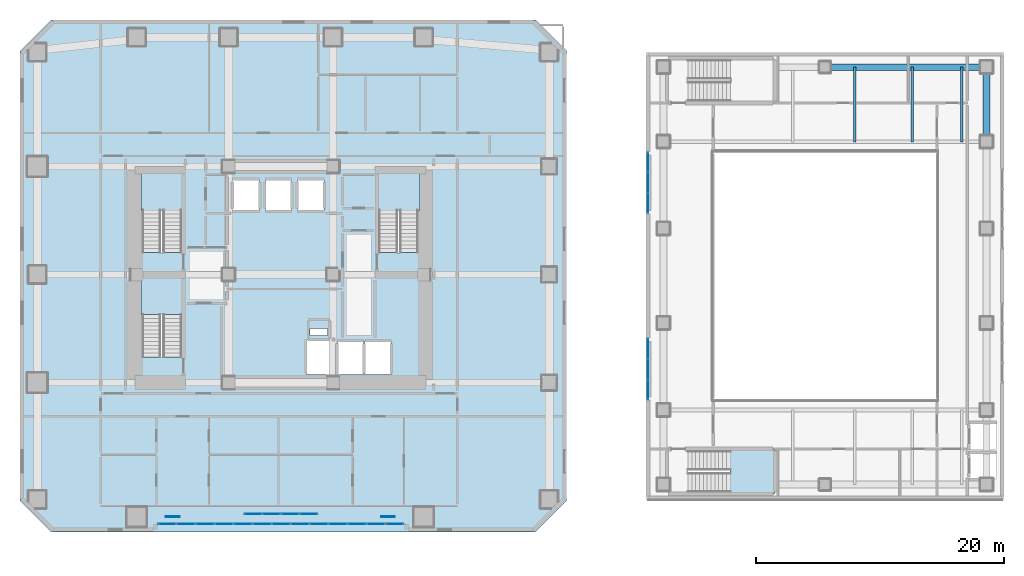
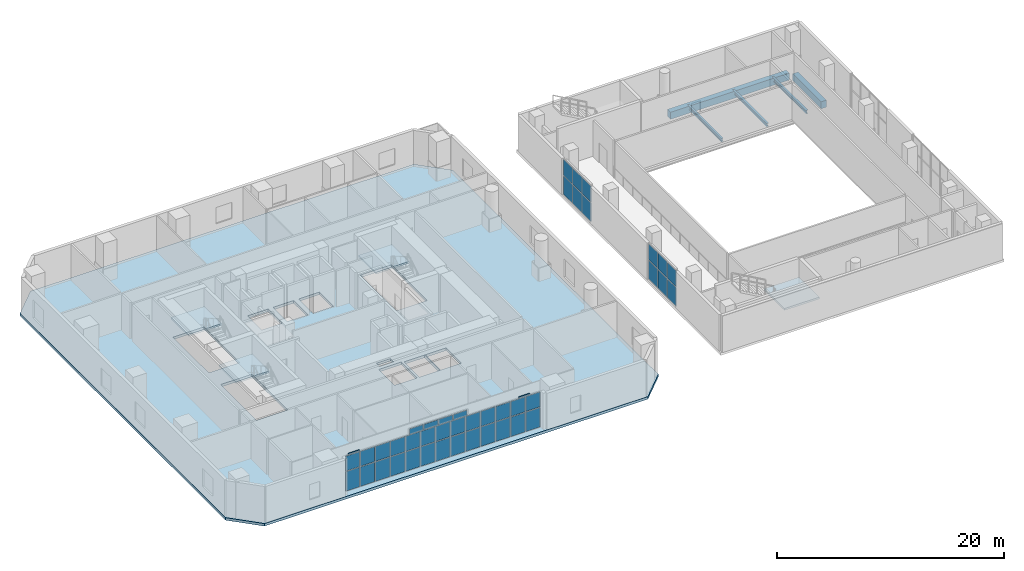
# One storey, part 13 of 24: 48 plates, 5 beams, 5 slabs, 8 elements without a shape of their own.
"""IFC4 building model written with IfcOpenShell, lengths in metres."""

from ifc_helpers import new_model, si_unit, direction, frame, origin, origin_2d, place, context, subcontext, project, spatial, polyline, rectangle, i_section, outline, extrude, material, layer, layer_set, material_profile, profile_set, type_object, element, aggregate, save


model = new_model("IFC4")

# Units and contexts
model_context = context("Model", 3, precision=1e-05, world=origin(), true_north=direction((0.0, 1.0)))
body_context = subcontext(model_context, "Body", "Model", "MODEL_VIEW")
ifc_project = project(units=[si_unit("LENGTHUNIT", "METRE"), si_unit("AREAUNIT", "SQUARE_METRE"), si_unit("VOLUMEUNIT", "CUBIC_METRE"), si_unit("PLANEANGLEUNIT", "RADIAN"), si_unit("MASSUNIT", "GRAM", prefix="KILO")], contexts=[model_context])

# Site, building, storey
site_placement = place(None, origin())
site = spatial("IfcSite", under=ifc_project, at=site_placement, CompositionType="ELEMENT")
building_placement = place(site_placement, origin())
building = spatial("IfcBuilding", under=site, at=building_placement, Name="Solanera Arch Residences", CompositionType="ELEMENT")
storey_placement = place(building_placement, frame((0.0, 0.0, 5.199951171875)))
storey = spatial("IfcBuildingStorey", under=building, at=storey_placement, Name="L01", CompositionType="ELEMENT", Elevation=5.199951171875)

# Beams
ifc_material_1 = material(Name="Concrete C40/50 (f'c = 45 MPa)", Category="concrete")
ifc_material_profile_1 = material_profile(ifc_material_1, rectangle(XDim=0.550048828125, YDim=0.75, at=origin_2d()))
ifc_profile_set_1 = profile_set([ifc_material_profile_1], Name="Concrete C40/50 (f'c = 45 MPa)")
beam_type_1 = type_object("IfcBeamType", Name="Primary Beam RC-BM-550X750", PredefinedType="BEAM", material=ifc_profile_set_1)
beam_1_placement = place(storey_placement, frame((81.800048828125, 41.89990234375, -0.655029296875), z_axis=(0.0, 1.0, 0.0), x_axis=(-1.0, 0.0, 0.0)))
element("IfcBeam", 1, at=beam_1_placement, inside=storey, type_object=beam_type_1, Name="BM-L01-HE-5", PredefinedType="BEAM", context=body_context, shape_type="SweptSolid", body=[
    extrude(rectangle(XDim=0.550048828125, YDim=0.75, at=origin_2d()), origin(), (0.0, 0.0, 1.0), 5.0),
])
beam_2_placement = place(storey_placement, frame((69.25, 47.39990234375, -0.655029296875), z_axis=(1.0, 0.0, 0.0), x_axis=(0.0, 1.0, 0.0)))
element("IfcBeam", 2, at=beam_2_placement, inside=storey, type_object=beam_type_1, Name="BM-L01-HN-2", PredefinedType="BEAM", context=body_context, shape_type="SweptSolid", body=[
    extrude(rectangle(XDim=0.550048828125, YDim=0.75, at=origin_2d()), origin(), (0.0, 0.0, 1.0), 12.050048828125),
])
ifc_material_2 = material(Name="Steel S355 (ASTM A992 / A572 Grade 50)", Category="steel")
ifc_material_profile_2 = material_profile(ifc_material_2, i_section(OverallWidth=0.205078125, OverallDepth=0.35400390625, WebThickness=0.009521484375, FlangeThickness=0.016845703125, at=origin_2d()))
ifc_profile_set_2 = profile_set([ifc_material_profile_2], Name="Steel S355 (ASTM A992 / A572 Grade 50)")
beam_type_2 = type_object("IfcBeamType", Name="Secondary Joist W360X79", PredefinedType="JOIST", material=ifc_profile_set_2)
for number, where, z_axis, x_axis, name in (
    (3, (71.199951171875, 41.39990234375, -0.45703125), (0.0, 1.0, 0.0), (-1.0, 0.0, 0.0), "BM-L01-HJN-71"),
    (4, (75.800048828125, 41.39990234375, -0.45703125), (0.0, 1.0, 0.0), (-1.0, 0.0, 0.0), "BM-L01-HJN-75"),
    (5, (79.800048828125, 41.39990234375, -0.45703125), (0.0, 1.0, 0.0), (-1.0, 0.0, 0.0), "BM-L01-HJN-79"),
):
    element("IfcBeam", number, at=place(storey_placement, frame(where, z_axis=z_axis, x_axis=x_axis)), inside=storey, type_object=beam_type_2, Name=name, PredefinedType="JOIST", context=body_context, shape_type="SweptSolid", body=[
        extrude(i_section(OverallWidth=0.205078125, OverallDepth=0.35400390625, WebThickness=0.009521484375, FlangeThickness=0.016845703125, at=origin_2d()), origin(), (0.0, 0.0, 1.0), 6.0),
    ])

# Plates
ifc_material_3 = material(Name="Steel S355 (ASTM A992 / A572 Grade 50)", Category="steel")
ifc_layer_1 = layer(ifc_material_3, 0.080078125)
ifc_layer_set_1 = layer_set([ifc_layer_1], Name="Steel S355 (ASTM A992 / A572 Grade 50)")
plate_type_1 = type_object("IfcPlateType", Name="Gusset Plate GP-80", PredefinedType="USERDEFINED", material=ifc_layer_set_1)
for number, where, z_axis, x_axis, name in (
    (6, (16.2880859375, 11.199951171875, 1.7001953125), (0.0, 0.0, 1.0), (1.0, 0.0, 0.0), "Monumental Arch Node Gusset 1"),
    (7, (33.613037109375, 11.199951171875, 1.7001953125), (0.0, 0.0, 1.0), (1.0, 0.0, 0.0), "Monumental Arch Node Gusset 7"),
):
    element("IfcPlate", number, at=place(storey_placement, frame(where, z_axis=z_axis, x_axis=x_axis)), inside=storey, type_object=plate_type_1, Name=name, ObjectType="GUSSET", PredefinedType="USERDEFINED", context=body_context, shape_type="SweptSolid", body=[
        extrude(rectangle(XDim=1.10009765625, YDim=0.080078125, at=origin_2d()), origin(), (0.0, 0.0, 1.0), 1.89990234375),
    ])

# Stair, slab
ifc_material_4 = material(Name="Concrete C40/50 (f'c = 45 MPa)", Category="concrete")
stair_type_1 = type_object("IfcStairType", Name="Tower Dogleg Exit Stair 1480", PredefinedType="HALF_TURN_STAIR", material=ifc_material_4)
stair_1_placement = place(storey_placement, origin())
stair_1 = element("IfcStair", 8, at=stair_1_placement, inside=storey, type_object=stair_type_1, Name="L01 Tower Core Exit Stair 1", PredefinedType="HALF_TURN_STAIR")
ifc_material_5 = material(Name="Concrete C40/50 (f'c = 45 MPa)", Category="concrete")
ifc_layer_2 = layer(ifc_material_5, 0.199951171875)
ifc_layer_set_2 = layer_set([ifc_layer_2], Name="Concrete C40/50 (f'c = 45 MPa)")
slab_type_1 = type_object("IfcSlabType", Name="Stair Half-Landing Slab 200", PredefinedType="LANDING", material=ifc_layer_set_2)
slab_1_placement = place(storey_placement, frame((0.0, 0.0, 1.900146484375)))
slab_1 = element("IfcSlab", 9, at=slab_1_placement, type_object=slab_type_1, Name="ST-T1 landing 1", PredefinedType="LANDING", context=body_context, shape_type="SweptSolid", body=[
    extrude(outline(polyline([(17.1201171875, 35.8798828125), (17.1201171875, 38.919921875), (13.719970703125, 38.919921875), (13.719970703125, 35.8798828125), (17.1201171875, 35.8798828125)])), origin(), (0.0, 0.0, 1.0), 0.199951171875),
])
aggregate(stair_1, [slab_1])

stair_2_placement = place(storey_placement, origin())
stair_2 = element("IfcStair", 10, at=stair_2_placement, inside=storey, type_object=stair_type_1, Name="L01 Tower Core Exit Stair 2", PredefinedType="HALF_TURN_STAIR")
slab_2_placement = place(storey_placement, frame((0.0, 0.0, 1.900146484375)))
slab_2 = element("IfcSlab", 11, at=slab_2_placement, type_object=slab_type_1, Name="ST-T2 landing 1", PredefinedType="LANDING", context=body_context, shape_type="SweptSolid", body=[
    extrude(outline(polyline([(36.179931640625, 35.8798828125), (36.179931640625, 38.919921875), (32.780029296875, 38.919921875), (32.780029296875, 35.8798828125), (36.179931640625, 35.8798828125)])), origin(), (0.0, 0.0, 1.0), 0.199951171875),
])
aggregate(stair_2, [slab_2])

stair_3_placement = place(storey_placement, origin())
stair_3 = element("IfcStair", 12, at=stair_3_placement, inside=storey, type_object=stair_type_1, Name="L01 Tower Core Exit Stair 3", PredefinedType="HALF_TURN_STAIR")
slab_3_placement = place(storey_placement, frame((0.0, 0.0, 1.900146484375)))
slab_3 = element("IfcSlab", 13, at=slab_3_placement, type_object=slab_type_1, Name="ST-T3 landing 1", PredefinedType="LANDING", context=body_context, shape_type="SweptSolid", body=[
    extrude(outline(polyline([(17.1201171875, 27.47998046875), (17.1201171875, 30.52001953125), (13.719970703125, 30.52001953125), (13.719970703125, 27.47998046875), (17.1201171875, 27.47998046875)])), origin(), (0.0, 0.0, 1.0), 0.199951171875),
])
aggregate(stair_3, [slab_3])

ifc_material_6 = material(Name="Concrete C40/50 (f'c = 45 MPa)", Category="concrete")
stair_type_2 = type_object("IfcStairType", Name="Arena Dogleg Exit Stair 1560", PredefinedType="HALF_TURN_STAIR", material=ifc_material_6)
stair_4_placement = place(storey_placement, origin())
stair_4 = element("IfcStair", 14, at=stair_4_placement, inside=storey, type_object=stair_type_2, Name="L01 Sports Hall South Exit Stair", PredefinedType="HALF_TURN_STAIR")
slab_4_placement = place(storey_placement, frame((0.0, 0.0, 1.900146484375)))
slab_4 = element("IfcSlab", 15, at=slab_4_placement, type_object=slab_type_1, Name="ST-H1 landing 1", PredefinedType="LANDING", context=body_context, shape_type="SweptSolid", body=[
    extrude(outline(polyline([(61.159912109375, 13.080078125), (64.719970703125, 13.080078125), (64.719970703125, 16.639892578125), (61.159912109375, 16.639892578125), (61.159912109375, 13.080078125)])), origin(), (0.0, 0.0, 1.0), 0.199951171875),
])
aggregate(stair_4, [slab_4])

# Slab
ifc_material_7 = material(Name="Concrete C40/50 (f'c = 45 MPa)", Category="concrete")
ifc_layer_3 = layer(ifc_material_7, 0.280029296875)
ifc_layer_set_3 = layer_set([ifc_layer_3], Name="Concrete C40/50 (f'c = 45 MPa)")
slab_type_2 = type_object("IfcSlabType", Name="Suspended Floor Slab Post-Tensioned 280", PredefinedType="FLOOR", material=ifc_layer_set_3)
slab_5_placement = place(storey_placement, frame((0.0, 0.0, -0.280029296875)))
element("IfcSlab", 16, at=slab_5_placement, inside=storey, type_object=slab_type_2, Name="L01 Tower Podium Structural Slab", PredefinedType="FLOOR", context=body_context, shape_type="SweptSolid", body=[
    extrude(outline(polyline([(6.5, 10.0), (45.5, 10.0), (48.0, 12.5), (48.0, 48.699951171875), (45.5, 51.199951171875), (6.5, 51.199951171875), (4.0, 48.699951171875), (4.0, 12.5), (6.5, 10.0)]), holes=[polyline([(13.840087890625, 32.48291015625), (13.840087890625, 38.800048828125), (17.0, 38.800048828125), (17.0, 32.48291015625), (13.840087890625, 32.48291015625)]), polyline([(32.89990234375, 32.48291015625), (32.89990234375, 38.800048828125), (36.06005859375, 38.800048828125), (36.06005859375, 32.48291015625), (32.89990234375, 32.48291015625)]), polyline([(13.840087890625, 24.0830078125), (13.840087890625, 30.39990234375), (17.0, 30.39990234375), (17.0, 24.0830078125), (13.840087890625, 24.0830078125)]), polyline([(21.14990234375, 38.35009765625), (23.25, 38.35009765625), (23.25, 35.85009765625), (21.14990234375, 35.85009765625), (21.14990234375, 38.35009765625)]), polyline([(23.75, 38.35009765625), (25.85009765625, 38.35009765625), (25.85009765625, 35.85009765625), (23.75, 35.85009765625), (23.75, 38.35009765625)]), polyline([(26.35009765625, 38.35009765625), (28.449951171875, 38.35009765625), (28.449951171875, 35.85009765625), (26.35009765625, 35.85009765625), (26.35009765625, 38.35009765625)]), polyline([(29.550048828125, 25.35009765625), (31.64990234375, 25.35009765625), (31.64990234375, 22.64990234375), (29.550048828125, 22.64990234375), (29.550048828125, 25.35009765625)]), polyline([(31.75, 25.35009765625), (33.85009765625, 25.35009765625), (33.85009765625, 22.64990234375), (31.75, 22.64990234375), (31.75, 25.35009765625)]), polyline([(27.050048828125, 25.449951171875), (29.35009765625, 25.449951171875), (29.35009765625, 22.64990234375), (27.050048828125, 22.64990234375), (27.050048828125, 25.449951171875)]), polyline([(27.340087890625, 26.3798828125), (28.760009765625, 26.3798828125), (28.760009765625, 25.820068359375), (27.340087890625, 25.820068359375), (27.340087890625, 26.3798828125)])]), origin(), (0.0, 0.0, 1.0), 0.280029296875),
])

# Curtain wall, plates
ifc_material_8 = material(Name="Anodised Aluminium Alloy 6063-T6", Category="aluminium")
ifc_layer_4 = layer(ifc_material_8, 0.179931640625)
ifc_layer_set_4 = layer_set([ifc_layer_4], Name="Anodised Aluminium Alloy 6063-T6")
curtain_wall_type_1 = type_object("IfcCurtainWallType", Name="CW-1 Arch Portal Unitised Glazing", PredefinedType="USERDEFINED", material=ifc_layer_set_4)
curtain_wall_1_placement = place(storey_placement, origin())
curtain_wall_1 = element("IfcCurtainWall", 17, at=curtain_wall_1_placement, inside=storey, type_object=curtain_wall_type_1, Name="L01 Arch Portal Unitised Curtain Wall", ObjectType="CURTAIN_WALL", PredefinedType="USERDEFINED")
ifc_material_9 = material(Name="Double Glazed Low-E Laminated Glass", Category="glass")
ifc_layer_5 = layer(ifc_material_9, 0.028076171875)
ifc_layer_set_5 = layer_set([ifc_layer_5], Name="Double Glazed Low-E Laminated Glass")
plate_type_2 = type_object("IfcPlateType", Name="Vision Glazing Panel GL-28", PredefinedType="CURTAIN_PANEL", material=ifc_layer_set_5)
plate_1_placement = place(storey_placement, frame((34.1552734375, 10.6298828125, 0.080078125), z_axis=(0.0, 0.0, 1.0), x_axis=(-1.0, 0.0, 0.0)))
plate_1 = element("IfcPlate", 18, at=plate_1_placement, type_object=plate_type_2, Name="CW-1 panel 1.1", PredefinedType="CURTAIN_PANEL", context=body_context, shape_type="SweptSolid", body=[
    extrude(rectangle(XDim=1.4091796875, YDim=0.028076171875, at=origin_2d()), origin(), (0.0, 0.0, 1.0), 2.080078125),
])
plate_2_placement = place(storey_placement, frame((34.1552734375, 10.6298828125, 2.239990234375), z_axis=(0.0, 0.0, 1.0), x_axis=(-1.0, 0.0, 0.0)))
plate_2 = element("IfcPlate", 19, at=plate_2_placement, type_object=plate_type_2, Name="CW-1 panel 1.2", PredefinedType="CURTAIN_PANEL", context=body_context, shape_type="SweptSolid", body=[
    extrude(rectangle(XDim=1.4091796875, YDim=0.028076171875, at=origin_2d()), origin(), (0.0, 0.0, 1.0), 1.60009765625),
])
plate_3_placement = place(storey_placement, frame((32.646240234375, 10.6298828125, 0.080078125), z_axis=(0.0, 0.0, 1.0), x_axis=(-1.0, 0.0, 0.0)))
plate_3 = element("IfcPlate", 20, at=plate_3_placement, type_object=plate_type_2, Name="CW-1 panel 2.1", PredefinedType="CURTAIN_PANEL", context=body_context, shape_type="SweptSolid", body=[
    extrude(rectangle(XDim=1.44921875, YDim=0.028076171875, at=origin_2d()), origin(), (0.0, 0.0, 1.0), 2.080078125),
])
plate_4_placement = place(storey_placement, frame((32.646240234375, 10.6298828125, 2.239990234375), z_axis=(0.0, 0.0, 1.0), x_axis=(-1.0, 0.0, 0.0)))
plate_4 = element("IfcPlate", 21, at=plate_4_placement, type_object=plate_type_2, Name="CW-1 panel 2.2", PredefinedType="CURTAIN_PANEL", context=body_context, shape_type="SweptSolid", body=[
    extrude(rectangle(XDim=1.44921875, YDim=0.028076171875, at=origin_2d()), origin(), (0.0, 0.0, 1.0), 1.60009765625),
])
plate_5_placement = place(storey_placement, frame((31.116943359375, 10.6298828125, 0.080078125), z_axis=(0.0, 0.0, 1.0), x_axis=(-1.0, 0.0, 0.0)))
plate_5 = element("IfcPlate", 22, at=plate_5_placement, type_object=plate_type_2, Name="CW-1 panel 3.1", PredefinedType="CURTAIN_PANEL", context=body_context, shape_type="SweptSolid", body=[
    extrude(rectangle(XDim=1.44921875, YDim=0.028076171875, at=origin_2d()), origin(), (0.0, 0.0, 1.0), 2.080078125),
])
plate_6_placement = place(storey_placement, frame((31.116943359375, 10.6298828125, 2.239990234375), z_axis=(0.0, 0.0, 1.0), x_axis=(-1.0, 0.0, 0.0)))
plate_6 = element("IfcPlate", 23, at=plate_6_placement, type_object=plate_type_2, Name="CW-1 panel 3.2", PredefinedType="CURTAIN_PANEL", context=body_context, shape_type="SweptSolid", body=[
    extrude(rectangle(XDim=1.44921875, YDim=0.028076171875, at=origin_2d()), origin(), (0.0, 0.0, 1.0), 1.60009765625),
])
plate_7_placement = place(storey_placement, frame((29.587646484375, 10.6298828125, 0.080078125), z_axis=(0.0, 0.0, 1.0), x_axis=(-1.0, 0.0, 0.0)))
plate_7 = element("IfcPlate", 24, at=plate_7_placement, type_object=plate_type_2, Name="CW-1 panel 4.1", PredefinedType="CURTAIN_PANEL", context=body_context, shape_type="SweptSolid", body=[
    extrude(rectangle(XDim=1.44921875, YDim=0.028076171875, at=origin_2d()), origin(), (0.0, 0.0, 1.0), 2.080078125),
])
plate_8_placement = place(storey_placement, frame((29.587646484375, 10.6298828125, 2.239990234375), z_axis=(0.0, 0.0, 1.0), x_axis=(-1.0, 0.0, 0.0)))
plate_8 = element("IfcPlate", 25, at=plate_8_placement, type_object=plate_type_2, Name="CW-1 panel 4.2", PredefinedType="CURTAIN_PANEL", context=body_context, shape_type="SweptSolid", body=[
    extrude(rectangle(XDim=1.44921875, YDim=0.028076171875, at=origin_2d()), origin(), (0.0, 0.0, 1.0), 1.60009765625),
])
plate_9_placement = place(storey_placement, frame((28.058349609375, 10.6298828125, 0.080078125), z_axis=(0.0, 0.0, 1.0), x_axis=(-1.0, 0.0, 0.0)))
plate_9 = element("IfcPlate", 26, at=plate_9_placement, type_object=plate_type_2, Name="CW-1 panel 5.1", PredefinedType="CURTAIN_PANEL", context=body_context, shape_type="SweptSolid", body=[
    extrude(rectangle(XDim=1.44921875, YDim=0.028076171875, at=origin_2d()), origin(), (0.0, 0.0, 1.0), 2.080078125),
])
plate_10_placement = place(storey_placement, frame((28.058349609375, 10.6298828125, 2.239990234375), z_axis=(0.0, 0.0, 1.0), x_axis=(-1.0, 0.0, 0.0)))
plate_10 = element("IfcPlate", 27, at=plate_10_placement, type_object=plate_type_2, Name="CW-1 panel 5.2", PredefinedType="CURTAIN_PANEL", context=body_context, shape_type="SweptSolid", body=[
    extrude(rectangle(XDim=1.44921875, YDim=0.028076171875, at=origin_2d()), origin(), (0.0, 0.0, 1.0), 1.60009765625),
])
plate_11_placement = place(storey_placement, frame((26.529296875, 10.6298828125, 0.080078125), z_axis=(0.0, 0.0, 1.0), x_axis=(-1.0, 0.0, 0.0)))
plate_11 = element("IfcPlate", 28, at=plate_11_placement, type_object=plate_type_2, Name="CW-1 panel 6.1", PredefinedType="CURTAIN_PANEL", context=body_context, shape_type="SweptSolid", body=[
    extrude(rectangle(XDim=1.44921875, YDim=0.028076171875, at=origin_2d()), origin(), (0.0, 0.0, 1.0), 2.080078125),
])
plate_12_placement = place(storey_placement, frame((26.529296875, 10.6298828125, 2.239990234375), z_axis=(0.0, 0.0, 1.0), x_axis=(-1.0, 0.0, 0.0)))
plate_12 = element("IfcPlate", 29, at=plate_12_placement, type_object=plate_type_2, Name="CW-1 panel 6.2", PredefinedType="CURTAIN_PANEL", context=body_context, shape_type="SweptSolid", body=[
    extrude(rectangle(XDim=1.44921875, YDim=0.028076171875, at=origin_2d()), origin(), (0.0, 0.0, 1.0), 1.60009765625),
])
plate_13_placement = place(storey_placement, frame((25.0, 10.6298828125, 0.080078125), z_axis=(0.0, 0.0, 1.0), x_axis=(-1.0, 0.0, 0.0)))
plate_13 = element("IfcPlate", 30, at=plate_13_placement, type_object=plate_type_2, Name="CW-1 panel 7.1", PredefinedType="CURTAIN_PANEL", context=body_context, shape_type="SweptSolid", body=[
    extrude(rectangle(XDim=1.44921875, YDim=0.028076171875, at=origin_2d()), origin(), (0.0, 0.0, 1.0), 2.080078125),
])
plate_14_placement = place(storey_placement, frame((25.0, 10.6298828125, 2.239990234375), z_axis=(0.0, 0.0, 1.0), x_axis=(-1.0, 0.0, 0.0)))
plate_14 = element("IfcPlate", 31, at=plate_14_placement, type_object=plate_type_2, Name="CW-1 panel 7.2", PredefinedType="CURTAIN_PANEL", context=body_context, shape_type="SweptSolid", body=[
    extrude(rectangle(XDim=1.44921875, YDim=0.028076171875, at=origin_2d()), origin(), (0.0, 0.0, 1.0), 1.60009765625),
])
plate_15_placement = place(storey_placement, frame((23.470703125, 10.6298828125, 0.080078125), z_axis=(0.0, 0.0, 1.0), x_axis=(-1.0, 0.0, 0.0)))
plate_15 = element("IfcPlate", 32, at=plate_15_placement, type_object=plate_type_2, Name="CW-1 panel 8.1", PredefinedType="CURTAIN_PANEL", context=body_context, shape_type="SweptSolid", body=[
    extrude(rectangle(XDim=1.44921875, YDim=0.028076171875, at=origin_2d()), origin(), (0.0, 0.0, 1.0), 2.080078125),
])
plate_16_placement = place(storey_placement, frame((23.470703125, 10.6298828125, 2.239990234375), z_axis=(0.0, 0.0, 1.0), x_axis=(-1.0, 0.0, 0.0)))
plate_16 = element("IfcPlate", 33, at=plate_16_placement, type_object=plate_type_2, Name="CW-1 panel 8.2", PredefinedType="CURTAIN_PANEL", context=body_context, shape_type="SweptSolid", body=[
    extrude(rectangle(XDim=1.44921875, YDim=0.028076171875, at=origin_2d()), origin(), (0.0, 0.0, 1.0), 1.60009765625),
])
plate_17_placement = place(storey_placement, frame((21.941650390625, 10.6298828125, 0.080078125), z_axis=(0.0, 0.0, 1.0), x_axis=(-1.0, 0.0, 0.0)))
plate_17 = element("IfcPlate", 34, at=plate_17_placement, type_object=plate_type_2, Name="CW-1 panel 9.1", PredefinedType="CURTAIN_PANEL", context=body_context, shape_type="SweptSolid", body=[
    extrude(rectangle(XDim=1.44921875, YDim=0.028076171875, at=origin_2d()), origin(), (0.0, 0.0, 1.0), 2.080078125),
])
plate_18_placement = place(storey_placement, frame((21.941650390625, 10.6298828125, 2.239990234375), z_axis=(0.0, 0.0, 1.0), x_axis=(-1.0, 0.0, 0.0)))
plate_18 = element("IfcPlate", 35, at=plate_18_placement, type_object=plate_type_2, Name="CW-1 panel 9.2", PredefinedType="CURTAIN_PANEL", context=body_context, shape_type="SweptSolid", body=[
    extrude(rectangle(XDim=1.44921875, YDim=0.028076171875, at=origin_2d()), origin(), (0.0, 0.0, 1.0), 1.60009765625),
])
plate_19_placement = place(storey_placement, frame((20.412353515625, 10.6298828125, 0.080078125), z_axis=(0.0, 0.0, 1.0), x_axis=(-1.0, 0.0, 0.0)))
plate_19 = element("IfcPlate", 36, at=plate_19_placement, type_object=plate_type_2, Name="CW-1 panel 10.1", PredefinedType="CURTAIN_PANEL", context=body_context, shape_type="SweptSolid", body=[
    extrude(rectangle(XDim=1.44921875, YDim=0.028076171875, at=origin_2d()), origin(), (0.0, 0.0, 1.0), 2.080078125),
])
plate_20_placement = place(storey_placement, frame((20.412353515625, 10.6298828125, 2.239990234375), z_axis=(0.0, 0.0, 1.0), x_axis=(-1.0, 0.0, 0.0)))
plate_20 = element("IfcPlate", 37, at=plate_20_placement, type_object=plate_type_2, Name="CW-1 panel 10.2", PredefinedType="CURTAIN_PANEL", context=body_context, shape_type="SweptSolid", body=[
    extrude(rectangle(XDim=1.44921875, YDim=0.028076171875, at=origin_2d()), origin(), (0.0, 0.0, 1.0), 1.60009765625),
])
plate_21_placement = place(storey_placement, frame((18.883056640625, 10.6298828125, 0.080078125), z_axis=(0.0, 0.0, 1.0), x_axis=(-1.0, 0.0, 0.0)))
plate_21 = element("IfcPlate", 38, at=plate_21_placement, type_object=plate_type_2, Name="CW-1 panel 11.1", PredefinedType="CURTAIN_PANEL", context=body_context, shape_type="SweptSolid", body=[
    extrude(rectangle(XDim=1.44921875, YDim=0.028076171875, at=origin_2d()), origin(), (0.0, 0.0, 1.0), 2.080078125),
])
plate_22_placement = place(storey_placement, frame((18.883056640625, 10.6298828125, 2.239990234375), z_axis=(0.0, 0.0, 1.0), x_axis=(-1.0, 0.0, 0.0)))
plate_22 = element("IfcPlate", 39, at=plate_22_placement, type_object=plate_type_2, Name="CW-1 panel 11.2", PredefinedType="CURTAIN_PANEL", context=body_context, shape_type="SweptSolid", body=[
    extrude(rectangle(XDim=1.44921875, YDim=0.028076171875, at=origin_2d()), origin(), (0.0, 0.0, 1.0), 1.60009765625),
])
plate_23_placement = place(storey_placement, frame((17.353759765625, 10.6298828125, 0.080078125), z_axis=(0.0, 0.0, 1.0), x_axis=(-1.0, 0.0, 0.0)))
plate_23 = element("IfcPlate", 40, at=plate_23_placement, type_object=plate_type_2, Name="CW-1 panel 12.1", PredefinedType="CURTAIN_PANEL", context=body_context, shape_type="SweptSolid", body=[
    extrude(rectangle(XDim=1.44921875, YDim=0.028076171875, at=origin_2d()), origin(), (0.0, 0.0, 1.0), 2.080078125),
])
plate_24_placement = place(storey_placement, frame((17.353759765625, 10.6298828125, 2.239990234375), z_axis=(0.0, 0.0, 1.0), x_axis=(-1.0, 0.0, 0.0)))
plate_24 = element("IfcPlate", 41, at=plate_24_placement, type_object=plate_type_2, Name="CW-1 panel 12.2", PredefinedType="CURTAIN_PANEL", context=body_context, shape_type="SweptSolid", body=[
    extrude(rectangle(XDim=1.44921875, YDim=0.028076171875, at=origin_2d()), origin(), (0.0, 0.0, 1.0), 1.60009765625),
])
plate_25_placement = place(storey_placement, frame((15.8447265625, 10.6298828125, 0.080078125), z_axis=(0.0, 0.0, 1.0), x_axis=(-1.0, 0.0, 0.0)))
plate_25 = element("IfcPlate", 42, at=plate_25_placement, type_object=plate_type_2, Name="CW-1 panel 13.1", PredefinedType="CURTAIN_PANEL", context=body_context, shape_type="SweptSolid", body=[
    extrude(rectangle(XDim=1.4091796875, YDim=0.028076171875, at=origin_2d()), origin(), (0.0, 0.0, 1.0), 2.080078125),
])
plate_26_placement = place(storey_placement, frame((15.8447265625, 10.6298828125, 2.239990234375), z_axis=(0.0, 0.0, 1.0), x_axis=(-1.0, 0.0, 0.0)))
plate_26 = element("IfcPlate", 43, at=plate_26_placement, type_object=plate_type_2, Name="CW-1 panel 13.2", PredefinedType="CURTAIN_PANEL", context=body_context, shape_type="SweptSolid", body=[
    extrude(rectangle(XDim=1.4091796875, YDim=0.028076171875, at=origin_2d()), origin(), (0.0, 0.0, 1.0), 1.60009765625),
])
aggregate(curtain_wall_1, [plate_1, plate_2, plate_3, plate_4, plate_5, plate_6, plate_7, plate_8, plate_9, plate_10, plate_11, plate_12, plate_13, plate_14, plate_15, plate_16, plate_17, plate_18, plate_19, plate_20, plate_21, plate_22, plate_23, plate_24, plate_25, plate_26])

curtain_wall_2_placement = place(storey_placement, origin())
curtain_wall_2 = element("IfcCurtainWall", 44, at=curtain_wall_2_placement, inside=storey, type_object=curtain_wall_type_1, Name="L01 Arch Vestibule Windscreen Curtain Wall", ObjectType="CURTAIN_WALL", PredefinedType="USERDEFINED")
plate_27_placement = place(storey_placement, frame((27.22998046875, 11.429931640625, 0.080078125), z_axis=(0.0, 0.0, 1.0), x_axis=(-1.0, 0.0, 0.0)))
plate_27 = element("IfcPlate", 45, at=plate_27_placement, type_object=plate_type_2, Name="CW-1 panel 1.1", PredefinedType="CURTAIN_PANEL", context=body_context, shape_type="SweptSolid", body=[
    extrude(rectangle(XDim=1.3798828125, YDim=0.028076171875, at=origin_2d()), origin(), (0.0, 0.0, 1.0), 2.080078125),
])
plate_28_placement = place(storey_placement, frame((27.22998046875, 11.429931640625, 2.239990234375), z_axis=(0.0, 0.0, 1.0), x_axis=(-1.0, 0.0, 0.0)))
plate_28 = element("IfcPlate", 46, at=plate_28_placement, type_object=plate_type_2, Name="CW-1 panel 1.2", PredefinedType="CURTAIN_PANEL", context=body_context, shape_type="SweptSolid", body=[
    extrude(rectangle(XDim=1.3798828125, YDim=0.028076171875, at=origin_2d()), origin(), (0.0, 0.0, 1.0), 1.60009765625),
])
plate_29_placement = place(storey_placement, frame((25.75, 11.429931640625, 0.080078125), z_axis=(0.0, 0.0, 1.0), x_axis=(-1.0, 0.0, 0.0)))
plate_29 = element("IfcPlate", 47, at=plate_29_placement, type_object=plate_type_2, Name="CW-1 panel 2.1", PredefinedType="CURTAIN_PANEL", context=body_context, shape_type="SweptSolid", body=[
    extrude(rectangle(XDim=1.419921875, YDim=0.028076171875, at=origin_2d()), origin(), (0.0, 0.0, 1.0), 2.080078125),
])
plate_30_placement = place(storey_placement, frame((25.75, 11.429931640625, 2.239990234375), z_axis=(0.0, 0.0, 1.0), x_axis=(-1.0, 0.0, 0.0)))
plate_30 = element("IfcPlate", 48, at=plate_30_placement, type_object=plate_type_2, Name="CW-1 panel 2.2", PredefinedType="CURTAIN_PANEL", context=body_context, shape_type="SweptSolid", body=[
    extrude(rectangle(XDim=1.419921875, YDim=0.028076171875, at=origin_2d()), origin(), (0.0, 0.0, 1.0), 1.60009765625),
])
plate_31_placement = place(storey_placement, frame((24.25, 11.429931640625, 0.080078125), z_axis=(0.0, 0.0, 1.0), x_axis=(-1.0, 0.0, 0.0)))
plate_31 = element("IfcPlate", 49, at=plate_31_placement, type_object=plate_type_2, Name="CW-1 panel 3.1", PredefinedType="CURTAIN_PANEL", context=body_context, shape_type="SweptSolid", body=[
    extrude(rectangle(XDim=1.419921875, YDim=0.028076171875, at=origin_2d()), origin(), (0.0, 0.0, 1.0), 2.080078125),
])
plate_32_placement = place(storey_placement, frame((24.25, 11.429931640625, 2.239990234375), z_axis=(0.0, 0.0, 1.0), x_axis=(-1.0, 0.0, 0.0)))
plate_32 = element("IfcPlate", 50, at=plate_32_placement, type_object=plate_type_2, Name="CW-1 panel 3.2", PredefinedType="CURTAIN_PANEL", context=body_context, shape_type="SweptSolid", body=[
    extrude(rectangle(XDim=1.419921875, YDim=0.028076171875, at=origin_2d()), origin(), (0.0, 0.0, 1.0), 1.60009765625),
])
plate_33_placement = place(storey_placement, frame((22.77001953125, 11.429931640625, 0.080078125), z_axis=(0.0, 0.0, 1.0), x_axis=(-1.0, 0.0, 0.0)))
plate_33 = element("IfcPlate", 51, at=plate_33_placement, type_object=plate_type_2, Name="CW-1 panel 4.1", PredefinedType="CURTAIN_PANEL", context=body_context, shape_type="SweptSolid", body=[
    extrude(rectangle(XDim=1.3798828125, YDim=0.028076171875, at=origin_2d()), origin(), (0.0, 0.0, 1.0), 2.080078125),
])
plate_34_placement = place(storey_placement, frame((22.77001953125, 11.429931640625, 2.239990234375), z_axis=(0.0, 0.0, 1.0), x_axis=(-1.0, 0.0, 0.0)))
plate_34 = element("IfcPlate", 52, at=plate_34_placement, type_object=plate_type_2, Name="CW-1 panel 4.2", PredefinedType="CURTAIN_PANEL", context=body_context, shape_type="SweptSolid", body=[
    extrude(rectangle(XDim=1.3798828125, YDim=0.028076171875, at=origin_2d()), origin(), (0.0, 0.0, 1.0), 1.60009765625),
])
aggregate(curtain_wall_2, [plate_27, plate_28, plate_29, plate_30, plate_31, plate_32, plate_33, plate_34])

ifc_material_10 = material(Name="Anodised Aluminium Alloy 6063-T6", Category="aluminium")
ifc_layer_6 = layer(ifc_material_10, 0.159912109375)
ifc_layer_set_6 = layer_set([ifc_layer_6], Name="Anodised Aluminium Alloy 6063-T6")
curtain_wall_type_2 = type_object("IfcCurtainWallType", Name="CW-3 Sports Hall Foyer Curtain Wall", PredefinedType="USERDEFINED", material=ifc_layer_set_6)
curtain_wall_3_placement = place(storey_placement, origin())
curtain_wall_3 = element("IfcCurtainWall", 53, at=curtain_wall_3_placement, inside=storey, type_object=curtain_wall_type_2, Name="L01 Sports Hall Foyer Curtain Wall 1", ObjectType="CURTAIN_WALL", PredefinedType="USERDEFINED")
plate_35_placement = place(storey_placement, frame((54.550048828125, 21.450927734375, 0.070068359375), z_axis=(0.0, 0.0, 1.0), x_axis=(0.0, 1.0, 0.0)))
plate_35 = element("IfcPlate", 54, at=plate_35_placement, type_object=plate_type_2, Name="CW-3 panel 1.1", PredefinedType="CURTAIN_PANEL", context=body_context, shape_type="SweptSolid", body=[
    extrude(rectangle(XDim=1.561767578125, YDim=0.028076171875, at=origin_2d()), origin(), (0.0, 0.0, 1.0), 1.9951171875),
])
plate_36_placement = place(storey_placement, frame((54.550048828125, 21.450927734375, 2.134765625), z_axis=(0.0, 0.0, 1.0), x_axis=(0.0, 1.0, 0.0)))
plate_36 = element("IfcPlate", 55, at=plate_36_placement, type_object=plate_type_2, Name="CW-3 panel 1.2", PredefinedType="CURTAIN_PANEL", context=body_context, shape_type="SweptSolid", body=[
    extrude(rectangle(XDim=1.561767578125, YDim=0.028076171875, at=origin_2d()), origin(), (0.0, 0.0, 1.0), 1.715087890625),
])
plate_37_placement = place(storey_placement, frame((54.550048828125, 23.10009765625, 0.070068359375), z_axis=(0.0, 0.0, 1.0), x_axis=(0.0, 1.0, 0.0)))
plate_37 = element("IfcPlate", 56, at=plate_37_placement, type_object=plate_type_2, Name="CW-3 panel 2.1", PredefinedType="CURTAIN_PANEL", context=body_context, shape_type="SweptSolid", body=[
    extrude(rectangle(XDim=1.5966796875, YDim=0.028076171875, at=origin_2d()), origin(), (0.0, 0.0, 1.0), 1.9951171875),
])
plate_38_placement = place(storey_placement, frame((54.550048828125, 23.10009765625, 2.134765625), z_axis=(0.0, 0.0, 1.0), x_axis=(0.0, 1.0, 0.0)))
plate_38 = element("IfcPlate", 57, at=plate_38_placement, type_object=plate_type_2, Name="CW-3 panel 2.2", PredefinedType="CURTAIN_PANEL", context=body_context, shape_type="SweptSolid", body=[
    extrude(rectangle(XDim=1.5966796875, YDim=0.028076171875, at=origin_2d()), origin(), (0.0, 0.0, 1.0), 1.715087890625),
])
plate_39_placement = place(storey_placement, frame((54.550048828125, 24.749267578125, 0.070068359375), z_axis=(0.0, 0.0, 1.0), x_axis=(0.0, 1.0, 0.0)))
plate_39 = element("IfcPlate", 58, at=plate_39_placement, type_object=plate_type_2, Name="CW-3 panel 3.1", PredefinedType="CURTAIN_PANEL", context=body_context, shape_type="SweptSolid", body=[
    extrude(rectangle(XDim=1.561767578125, YDim=0.028076171875, at=origin_2d()), origin(), (0.0, 0.0, 1.0), 1.9951171875),
])
plate_40_placement = place(storey_placement, frame((54.550048828125, 24.749267578125, 2.134765625), z_axis=(0.0, 0.0, 1.0), x_axis=(0.0, 1.0, 0.0)))
plate_40 = element("IfcPlate", 59, at=plate_40_placement, type_object=plate_type_2, Name="CW-3 panel 3.2", PredefinedType="CURTAIN_PANEL", context=body_context, shape_type="SweptSolid", body=[
    extrude(rectangle(XDim=1.561767578125, YDim=0.028076171875, at=origin_2d()), origin(), (0.0, 0.0, 1.0), 1.715087890625),
])
aggregate(curtain_wall_3, [plate_35, plate_36, plate_37, plate_38, plate_39, plate_40])

curtain_wall_4_placement = place(storey_placement, origin())
curtain_wall_4 = element("IfcCurtainWall", 60, at=curtain_wall_4_placement, inside=storey, type_object=curtain_wall_type_2, Name="L01 Sports Hall Foyer Curtain Wall 2", ObjectType="CURTAIN_WALL", PredefinedType="USERDEFINED")
plate_41_placement = place(storey_placement, frame((54.550048828125, 36.450927734375, 0.070068359375), z_axis=(0.0, 0.0, 1.0), x_axis=(0.0, 1.0, 0.0)))
plate_41 = element("IfcPlate", 61, at=plate_41_placement, type_object=plate_type_2, Name="CW-3 panel 1.1", PredefinedType="CURTAIN_PANEL", context=body_context, shape_type="SweptSolid", body=[
    extrude(rectangle(XDim=1.561767578125, YDim=0.028076171875, at=origin_2d()), origin(), (0.0, 0.0, 1.0), 1.9951171875),
])
plate_42_placement = place(storey_placement, frame((54.550048828125, 36.450927734375, 2.134765625), z_axis=(0.0, 0.0, 1.0), x_axis=(0.0, 1.0, 0.0)))
plate_42 = element("IfcPlate", 62, at=plate_42_placement, type_object=plate_type_2, Name="CW-3 panel 1.2", PredefinedType="CURTAIN_PANEL", context=body_context, shape_type="SweptSolid", body=[
    extrude(rectangle(XDim=1.561767578125, YDim=0.028076171875, at=origin_2d()), origin(), (0.0, 0.0, 1.0), 1.715087890625),
])
plate_43_placement = place(storey_placement, frame((54.550048828125, 38.10009765625, 0.070068359375), z_axis=(0.0, 0.0, 1.0), x_axis=(0.0, 1.0, 0.0)))
plate_43 = element("IfcPlate", 63, at=plate_43_placement, type_object=plate_type_2, Name="CW-3 panel 2.1", PredefinedType="CURTAIN_PANEL", context=body_context, shape_type="SweptSolid", body=[
    extrude(rectangle(XDim=1.5966796875, YDim=0.028076171875, at=origin_2d()), origin(), (0.0, 0.0, 1.0), 1.9951171875),
])
plate_44_placement = place(storey_placement, frame((54.550048828125, 38.10009765625, 2.134765625), z_axis=(0.0, 0.0, 1.0), x_axis=(0.0, 1.0, 0.0)))
plate_44 = element("IfcPlate", 64, at=plate_44_placement, type_object=plate_type_2, Name="CW-3 panel 2.2", PredefinedType="CURTAIN_PANEL", context=body_context, shape_type="SweptSolid", body=[
    extrude(rectangle(XDim=1.5966796875, YDim=0.028076171875, at=origin_2d()), origin(), (0.0, 0.0, 1.0), 1.715087890625),
])
plate_45_placement = place(storey_placement, frame((54.550048828125, 39.749267578125, 0.070068359375), z_axis=(0.0, 0.0, 1.0), x_axis=(0.0, 1.0, 0.0)))
plate_45 = element("IfcPlate", 65, at=plate_45_placement, type_object=plate_type_2, Name="CW-3 panel 3.1", PredefinedType="CURTAIN_PANEL", context=body_context, shape_type="SweptSolid", body=[
    extrude(rectangle(XDim=1.561767578125, YDim=0.028076171875, at=origin_2d()), origin(), (0.0, 0.0, 1.0), 1.9951171875),
])
plate_46_placement = place(storey_placement, frame((54.550048828125, 39.749267578125, 2.134765625), z_axis=(0.0, 0.0, 1.0), x_axis=(0.0, 1.0, 0.0)))
plate_46 = element("IfcPlate", 66, at=plate_46_placement, type_object=plate_type_2, Name="CW-3 panel 3.2", PredefinedType="CURTAIN_PANEL", context=body_context, shape_type="SweptSolid", body=[
    extrude(rectangle(XDim=1.561767578125, YDim=0.028076171875, at=origin_2d()), origin(), (0.0, 0.0, 1.0), 1.715087890625),
])
aggregate(curtain_wall_4, [plate_41, plate_42, plate_43, plate_44, plate_45, plate_46])

save(model, "model.ifc")
